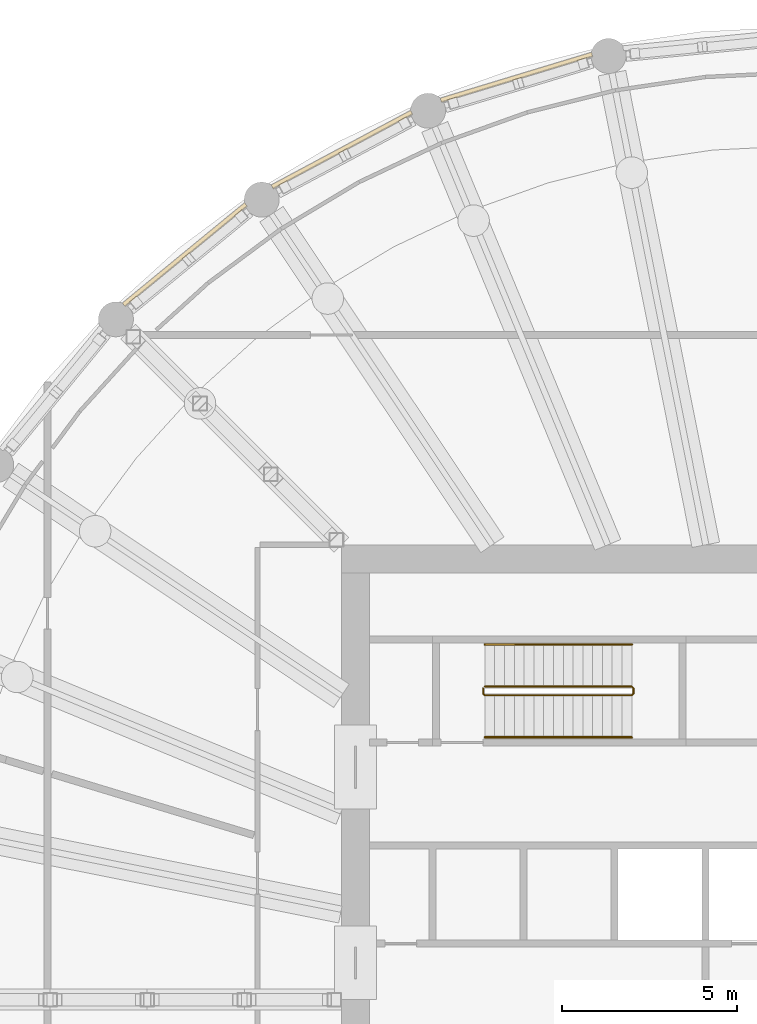
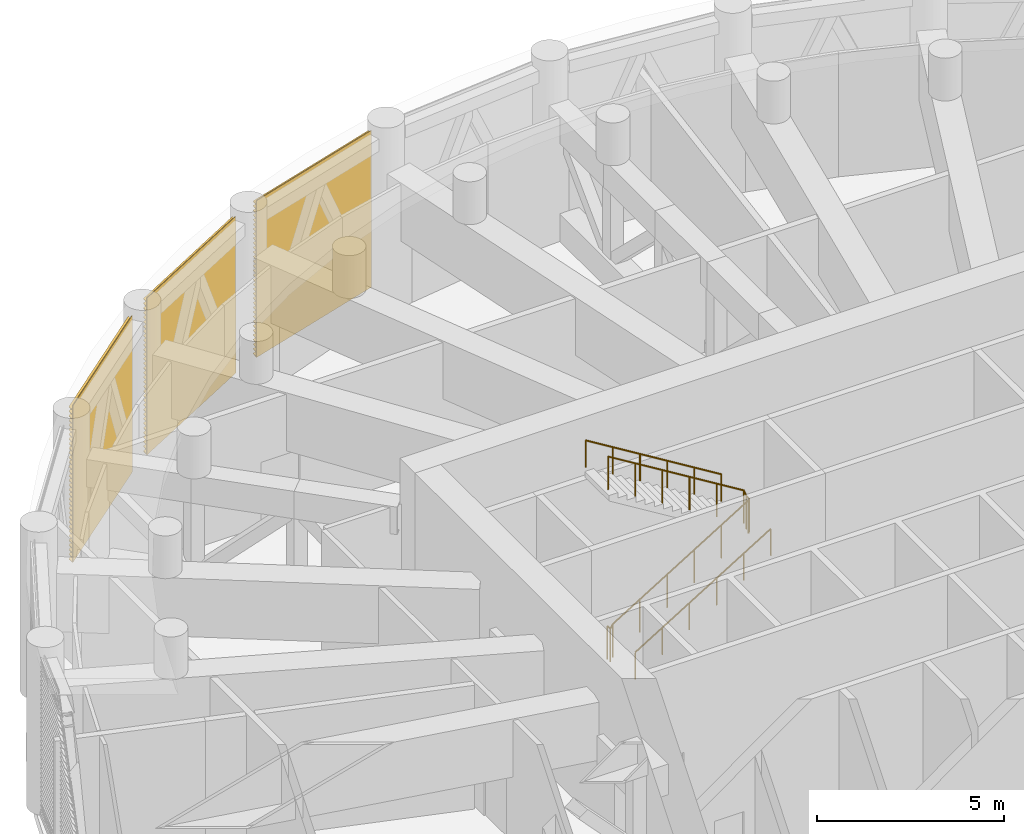
# One storey, part 22 of 24: 3 railings, 3 shading devices, 3 elements without a shape of their own.
"""IFC4 building model written with IfcOpenShell, lengths in metres."""

from ifc_helpers import new_model, si_unit, direction, frame, origin, origin_2d, place, context, subcontext, project, spatial, polyline, circle, outline, extrude, material, material_profile, profile_set, type_object, element, aggregate, save


model = new_model("IFC4")

# Units and contexts
model_context = context("Model", 3, precision=1e-05, world=origin(), true_north=direction((0.0, 1.0)))
body_context = subcontext(model_context, "Body", "Model", "MODEL_VIEW")
ifc_project = project(units=[si_unit("LENGTHUNIT", "METRE"), si_unit("AREAUNIT", "SQUARE_METRE"), si_unit("VOLUMEUNIT", "CUBIC_METRE"), si_unit("PLANEANGLEUNIT", "RADIAN"), si_unit("MASSUNIT", "GRAM", prefix="KILO")], contexts=[model_context])

# Site, building, storey
site_placement = place(None, origin())
site = spatial("IfcSite", under=ifc_project, at=site_placement, CompositionType="ELEMENT")
building_placement = place(site_placement, origin())
building = spatial("IfcBuilding", under=site, at=building_placement, Name="Corvane Civic Tower", CompositionType="ELEMENT")
storey_placement = place(building_placement, frame((0.0, 0.0, 257.5)))
storey = spatial("IfcBuildingStorey", under=building, at=storey_placement, Name="L61", CompositionType="ELEMENT", Elevation=257.5)

# Railings
ifc_material_1 = material(Name="Steel ASTM A572 Gr 50", Category="steel")
railing_type_1 = type_object("IfcRailingType", Name="ST-GUARD-1100", PredefinedType="GUARDRAIL", material=ifc_material_1)
railing_1_placement = place(storey_placement, frame((-8.949951171875, 8.89990234375, 0.0)))
element("IfcRailing", 1, at=railing_1_placement, inside=storey, type_object=railing_type_1, Name="L61 ST4 stair guard 1", PredefinedType="GUARDRAIL", context=body_context, shape_type="SweptSolid", body=[
    extrude(circle(Radius=0.02392578125, at=origin_2d()), frame((0.0, 0.0, 1.076171875), z_axis=(0.0, -1.0, 0.0), x_axis=(1.0, 0.0, 0.0)), (0.0, 0.0, 1.0), 0.14990234375),
    extrude(circle(Radius=0.02392578125, at=origin_2d()), frame((0.0, -0.14990234375, 1.076171875), z_axis=(0.269255725606, -0.269255725606, 0.92466356501), x_axis=(0.707106781187, 0.707106781187, 0.0)), (0.0, 0.0, 1.0), 0.185791015625),
    extrude(circle(Radius=0.02392578125, at=origin_2d()), frame((0.050048828125, -0.199951171875, 1.248046875), z_axis=(0.852242915053, 0.0, 0.523146264196), x_axis=(0.0, 1.0, 0.0)), (0.0, 0.0, 1.0), 4.92822265625),
    extrude(circle(Radius=0.02392578125, at=origin_2d()), frame((4.25, -0.199951171875, 3.826171875), z_axis=(0.707106781187, 0.707106781187, 0.0), x_axis=(-0.707106781187, 0.707106781187, 0.0)), (0.0, 0.0, 1.0), 0.07080078125),
    extrude(circle(Radius=0.02392578125, at=origin_2d()), frame((4.300048828125, -0.14990234375, 3.826171875), z_axis=(0.0, 1.0, 0.0), x_axis=(-1.0, 0.0, 0.0)), (0.0, 0.0, 1.0), 0.14990234375),
    extrude(circle(Radius=0.02392578125, at=origin_2d()), frame((4.300048828125, 0.0, 3.826171875), z_axis=(-0.269255725606, 0.269255725606, 0.92466356501), x_axis=(-0.707106781187, -0.707106781187, 0.0)), (0.0, 0.0, 1.0), 0.185791015625),
    extrude(circle(Radius=0.02392578125, at=origin_2d()), frame((4.25, 0.050048828125, 3.998046875), z_axis=(-0.852242915053, 0.0, 0.523146264196), x_axis=(0.0, -1.0, 0.0)), (0.0, 0.0, 1.0), 4.92822265625),
    extrude(circle(Radius=0.02099609375, at=origin_2d()), origin(), (0.0, 0.0, 1.0), 1.052001953125),
    extrude(circle(Radius=0.02099609375, at=origin_2d()), frame((0.0, -0.14990234375, 0.0)), (0.0, 0.0, 1.0), 1.052001953125),
    extrude(circle(Radius=0.02099609375, at=origin_2d()), frame((0.050048828125, -0.199951171875, 0.171875)), (0.0, 0.0, 1.0), 1.052001953125),
    extrude(circle(Radius=0.02099609375, at=origin_2d()), frame((0.89013671875, -0.199951171875, 0.6875)), (0.0, 0.0, 1.0), 1.052001953125),
    extrude(circle(Radius=0.02099609375, at=origin_2d()), frame((1.72998046875, -0.199951171875, 1.203125)), (0.0, 0.0, 1.0), 1.052001953125),
    extrude(circle(Radius=0.02099609375, at=origin_2d()), frame((2.570068359375, -0.199951171875, 1.71875)), (0.0, 0.0, 1.0), 1.052001953125),
    extrude(circle(Radius=0.02099609375, at=origin_2d()), frame((3.409912109375, -0.199951171875, 2.234375)), (0.0, 0.0, 1.0), 1.052001953125),
    extrude(circle(Radius=0.02099609375, at=origin_2d()), frame((4.25, -0.199951171875, 2.75)), (0.0, 0.0, 1.0), 1.052001953125),
    extrude(circle(Radius=0.02099609375, at=origin_2d()), frame((4.300048828125, -0.14990234375, 2.75)), (0.0, 0.0, 1.0), 1.052001953125),
    extrude(circle(Radius=0.02099609375, at=origin_2d()), frame((4.300048828125, 0.0, 2.75)), (0.0, 0.0, 1.0), 1.052001953125),
    extrude(circle(Radius=0.02099609375, at=origin_2d()), frame((4.25, 0.050048828125, 2.921875)), (0.0, 0.0, 1.0), 1.052001953125),
    extrude(circle(Radius=0.02099609375, at=origin_2d()), frame((3.409912109375, 0.050048828125, 3.4375)), (0.0, 0.0, 1.0), 1.052001953125),
    extrude(circle(Radius=0.02099609375, at=origin_2d()), frame((2.570068359375, 0.050048828125, 3.953125)), (0.0, 0.0, 1.0), 1.052001953125),
    extrude(circle(Radius=0.02099609375, at=origin_2d()), frame((1.72998046875, 0.050048828125, 4.46875)), (0.0, 0.0, 1.0), 1.052001953125),
    extrude(circle(Radius=0.02099609375, at=origin_2d()), frame((0.89013671875, 0.050048828125, 4.984375)), (0.0, 0.0, 1.0), 1.052001953125),
    extrude(circle(Radius=0.02099609375, at=origin_2d()), frame((0.050048828125, 0.050048828125, 5.5)), (0.0, 0.0, 1.0), 1.052001953125),
])
ifc_material_2 = material(Name="Steel ASTM A572 Gr 50", Category="steel")
railing_type_2 = type_object("IfcRailingType", Name="ST-HANDRAIL-900", PredefinedType="HANDRAIL", material=ifc_material_2)
railing_2_placement = place(storey_placement, frame((-8.89990234375, 7.5, 0.171875)))
element("IfcRailing", 2, at=railing_2_placement, inside=storey, type_object=railing_type_2, Name="L61 ST4 stair handrail 1", PredefinedType="HANDRAIL", context=body_context, shape_type="SweptSolid", body=[
    extrude(circle(Radius=0.02392578125, at=origin_2d()), frame((0.0, 0.0, 0.8759765625), z_axis=(0.852242915053, 0.0, 0.523146264196), x_axis=(0.0, 1.0, 0.0)), (0.0, 0.0, 1.0), 4.92822265625),
    extrude(circle(Radius=0.02099609375, at=origin_2d()), origin(), (0.0, 0.0, 1.0), 0.851806640625),
    extrude(circle(Radius=0.02099609375, at=origin_2d()), frame((0.840087890625, 0.0, 0.515625)), (0.0, 0.0, 1.0), 0.851806640625),
    extrude(circle(Radius=0.02099609375, at=origin_2d()), frame((1.679931640625, 0.0, 1.03125)), (0.0, 0.0, 1.0), 0.851806640625),
    extrude(circle(Radius=0.02099609375, at=origin_2d()), frame((2.52001953125, 0.0, 1.546875)), (0.0, 0.0, 1.0), 0.851806640625),
    extrude(circle(Radius=0.02099609375, at=origin_2d()), frame((3.35986328125, 0.0, 2.0625)), (0.0, 0.0, 1.0), 0.851806640625),
    extrude(circle(Radius=0.02099609375, at=origin_2d()), frame((4.199951171875, 0.0, 2.578125)), (0.0, 0.0, 1.0), 0.851806640625),
])
railing_3_placement = place(storey_placement, frame((-4.699951171875, 10.14990234375, 2.921875)))
element("IfcRailing", 3, at=railing_3_placement, inside=storey, type_object=railing_type_2, Name="L61 ST4 stair handrail 2", PredefinedType="HANDRAIL", context=body_context, shape_type="SweptSolid", body=[
    extrude(circle(Radius=0.02392578125, at=origin_2d()), frame((0.0, 0.0, 0.8759765625), z_axis=(-0.852242915053, 0.0, 0.523146264196), x_axis=(0.0, -1.0, 0.0)), (0.0, 0.0, 1.0), 4.92822265625),
    extrude(circle(Radius=0.02099609375, at=origin_2d()), origin(), (0.0, 0.0, 1.0), 0.851806640625),
    extrude(circle(Radius=0.02099609375, at=origin_2d()), frame((-0.840087890625, 0.0, 0.515625)), (0.0, 0.0, 1.0), 0.851806640625),
    extrude(circle(Radius=0.02099609375, at=origin_2d()), frame((-1.679931640625, 0.0, 1.03125)), (0.0, 0.0, 1.0), 0.851806640625),
    extrude(circle(Radius=0.02099609375, at=origin_2d()), frame((-2.52001953125, 0.0, 1.546875)), (0.0, 0.0, 1.0), 0.851806640625),
    extrude(circle(Radius=0.02099609375, at=origin_2d()), frame((-3.35986328125, 0.0, 2.0625)), (0.0, 0.0, 1.0), 0.851806640625),
    extrude(circle(Radius=0.02099609375, at=origin_2d()), frame((-4.199951171875, 0.0, 2.578125)), (0.0, 0.0, 1.0), 0.851806640625),
])

# Curtain wall, shading device
ifc_material_3 = material(Name="Anodised aluminium bronze", Category="aluminium")
curtain_wall_type = type_object("IfcCurtainWallType", Name="TOWER CW-LV LOUVRE SCREEN WALL", PredefinedType="NOTDEFINED", material=ifc_material_3)
curtain_wall_1_placement = place(storey_placement, origin())
curtain_wall_1 = element("IfcCurtainWall", 4, at=curtain_wall_1_placement, inside=storey, type_object=curtain_wall_type, Name="Louvre screen wall CW-LV L61 bay 29", PredefinedType="NOTDEFINED")
ifc_material_4 = material(Name="Anodised aluminium bronze", Category="aluminium")
ifc_material_profile = material_profile(ifc_material_4, outline(polyline([(-0.06005859375, -2.56494140625), (-0.0400390625, -2.56494140625), (0.06005859375, -2.492919921875), (0.06005859375, -2.472900390625), (-0.0400390625, -2.544921875), (-0.0400390625, -2.4140625), (0.06005859375, -2.342041015625), (0.06005859375, -2.322021484375), (-0.0400390625, -2.39404296875), (-0.0400390625, -2.26318359375), (0.06005859375, -2.191162109375), (0.06005859375, -2.171142578125), (-0.0400390625, -2.2431640625), (-0.0400390625, -2.1123046875), (0.06005859375, -2.040283203125), (0.06005859375, -2.0205078125), (-0.0400390625, -2.09228515625), (-0.0400390625, -1.96142578125), (0.06005859375, -1.889404296875), (0.06005859375, -1.869384765625), (-0.0400390625, -1.94140625), (-0.0400390625, -1.810546875), (0.06005859375, -1.738525390625), (0.06005859375, -1.718505859375), (-0.0400390625, -1.79052734375), (-0.0400390625, -1.65966796875), (0.06005859375, -1.587646484375), (0.06005859375, -1.567626953125), (-0.0400390625, -1.6396484375), (-0.0400390625, -1.5087890625), (0.06005859375, -1.436767578125), (0.06005859375, -1.416748046875), (-0.0400390625, -1.48876953125), (-0.0400390625, -1.35791015625), (0.06005859375, -1.285888671875), (0.06005859375, -1.265869140625), (-0.0400390625, -1.337890625), (-0.0400390625, -1.20703125), (0.06005859375, -1.135009765625), (0.06005859375, -1.114990234375), (-0.0400390625, -1.18701171875), (-0.0400390625, -1.05615234375), (0.06005859375, -0.984130859375), (0.06005859375, -0.964111328125), (-0.0400390625, -1.0361328125), (-0.0400390625, -0.9052734375), (0.06005859375, -0.833251953125), (0.06005859375, -0.813232421875), (-0.0400390625, -0.88525390625), (-0.0400390625, -0.75439453125), (0.06005859375, -0.682373046875), (0.06005859375, -0.662353515625), (-0.0400390625, -0.734375), (-0.0400390625, -0.603515625), (0.06005859375, -0.531494140625), (0.06005859375, -0.511474609375), (-0.0400390625, -0.58349609375), (-0.0400390625, -0.45263671875), (0.06005859375, -0.380615234375), (0.06005859375, -0.360595703125), (-0.0400390625, -0.4326171875), (-0.0400390625, -0.3017578125), (0.06005859375, -0.229736328125), (0.06005859375, -0.209716796875), (-0.0400390625, -0.28173828125), (-0.0400390625, -0.15087890625), (0.06005859375, -0.078857421875), (0.06005859375, -0.058837890625), (-0.0400390625, -0.130859375), (-0.0400390625, 0.0), (0.06005859375, 0.072021484375), (0.06005859375, 0.092041015625), (-0.0400390625, 0.02001953125), (-0.0400390625, 0.15087890625), (0.06005859375, 0.222900390625), (0.06005859375, 0.242919921875), (-0.0400390625, 0.1708984375), (-0.0400390625, 0.3017578125), (0.06005859375, 0.373779296875), (0.06005859375, 0.393798828125), (-0.0400390625, 0.32177734375), (-0.0400390625, 0.45263671875), (0.06005859375, 0.524658203125), (0.06005859375, 0.544677734375), (-0.0400390625, 0.47265625), (-0.0400390625, 0.603515625), (0.06005859375, 0.675537109375), (0.06005859375, 0.695556640625), (-0.0400390625, 0.62353515625), (-0.0400390625, 0.75439453125), (0.06005859375, 0.826416015625), (0.06005859375, 0.846435546875), (-0.0400390625, 0.7744140625), (-0.0400390625, 0.9052734375), (0.06005859375, 0.977294921875), (0.06005859375, 0.997314453125), (-0.0400390625, 0.92529296875), (-0.0400390625, 1.05615234375), (0.06005859375, 1.128173828125), (0.06005859375, 1.148193359375), (-0.0400390625, 1.076171875), (-0.0400390625, 1.20703125), (0.06005859375, 1.279052734375), (0.06005859375, 1.299072265625), (-0.0400390625, 1.22705078125), (-0.0400390625, 1.35791015625), (0.06005859375, 1.429931640625), (0.06005859375, 1.449951171875), (-0.0400390625, 1.3779296875), (-0.0400390625, 1.5087890625), (0.06005859375, 1.580810546875), (0.06005859375, 1.600830078125), (-0.0400390625, 1.52880859375), (-0.0400390625, 1.65966796875), (0.06005859375, 1.731689453125), (0.06005859375, 1.751708984375), (-0.0400390625, 1.6796875), (-0.0400390625, 1.810546875), (0.06005859375, 1.882568359375), (0.06005859375, 1.902587890625), (-0.0400390625, 1.83056640625), (-0.0400390625, 1.96142578125), (0.06005859375, 2.033447265625), (0.06005859375, 2.053466796875), (-0.0400390625, 1.9814453125), (-0.0400390625, 2.1123046875), (0.06005859375, 2.184326171875), (0.06005859375, 2.204345703125), (-0.0400390625, 2.13232421875), (-0.0400390625, 2.26318359375), (0.06005859375, 2.335205078125), (0.06005859375, 2.355224609375), (-0.0400390625, 2.283203125), (-0.0400390625, 2.4140625), (0.06005859375, 2.486083984375), (0.06005859375, 2.506103515625), (-0.0400390625, 2.43408203125), (-0.0400390625, 2.56494140625), (-0.06005859375, 2.56494140625), (-0.06005859375, -2.56494140625)])), Name="TOWER LOUVRE BANK 5130 BRONZE")
ifc_profile_set = profile_set([ifc_material_profile], Name="Anodised aluminium bronze")
shading_device_type = type_object("IfcShadingDeviceType", Name="TOWER LOUVRE BANK 5130 BRONZE", PredefinedType="USERDEFINED", material=ifc_profile_set)
shading_device_1_placement = place(storey_placement, frame((-19.221435546875, 19.861083984375, 2.68505859375), z_axis=(0.773014925698, 0.634387834569, 0.0), x_axis=(-0.634387834569, 0.773014925698, 0.0)))
shading_device_1 = element("IfcShadingDevice", 5, at=shading_device_1_placement, type_object=shading_device_type, Name="Louvre bank L61 29.1", ObjectType="LOUVRE", PredefinedType="USERDEFINED", context=body_context, shape_type="SweptSolid", body=[
    extrude(outline(polyline([(-0.06005859375, -2.56494140625), (-0.0400390625, -2.56494140625), (0.06005859375, -2.492919921875), (0.06005859375, -2.472900390625), (-0.0400390625, -2.544921875), (-0.0400390625, -2.4140625), (0.06005859375, -2.342041015625), (0.06005859375, -2.322021484375), (-0.0400390625, -2.39404296875), (-0.0400390625, -2.26318359375), (0.06005859375, -2.191162109375), (0.06005859375, -2.171142578125), (-0.0400390625, -2.2431640625), (-0.0400390625, -2.1123046875), (0.06005859375, -2.040283203125), (0.06005859375, -2.0205078125), (-0.0400390625, -2.09228515625), (-0.0400390625, -1.96142578125), (0.06005859375, -1.889404296875), (0.06005859375, -1.869384765625), (-0.0400390625, -1.94140625), (-0.0400390625, -1.810546875), (0.06005859375, -1.738525390625), (0.06005859375, -1.718505859375), (-0.0400390625, -1.79052734375), (-0.0400390625, -1.65966796875), (0.06005859375, -1.587646484375), (0.06005859375, -1.567626953125), (-0.0400390625, -1.6396484375), (-0.0400390625, -1.5087890625), (0.06005859375, -1.436767578125), (0.06005859375, -1.416748046875), (-0.0400390625, -1.48876953125), (-0.0400390625, -1.35791015625), (0.06005859375, -1.285888671875), (0.06005859375, -1.265869140625), (-0.0400390625, -1.337890625), (-0.0400390625, -1.20703125), (0.06005859375, -1.135009765625), (0.06005859375, -1.114990234375), (-0.0400390625, -1.18701171875), (-0.0400390625, -1.05615234375), (0.06005859375, -0.984130859375), (0.06005859375, -0.964111328125), (-0.0400390625, -1.0361328125), (-0.0400390625, -0.9052734375), (0.06005859375, -0.833251953125), (0.06005859375, -0.813232421875), (-0.0400390625, -0.88525390625), (-0.0400390625, -0.75439453125), (0.06005859375, -0.682373046875), (0.06005859375, -0.662353515625), (-0.0400390625, -0.734375), (-0.0400390625, -0.603515625), (0.06005859375, -0.531494140625), (0.06005859375, -0.511474609375), (-0.0400390625, -0.58349609375), (-0.0400390625, -0.45263671875), (0.06005859375, -0.380615234375), (0.06005859375, -0.360595703125), (-0.0400390625, -0.4326171875), (-0.0400390625, -0.3017578125), (0.06005859375, -0.229736328125), (0.06005859375, -0.209716796875), (-0.0400390625, -0.28173828125), (-0.0400390625, -0.15087890625), (0.06005859375, -0.078857421875), (0.06005859375, -0.058837890625), (-0.0400390625, -0.130859375), (-0.0400390625, 0.0), (0.06005859375, 0.072021484375), (0.06005859375, 0.092041015625), (-0.0400390625, 0.02001953125), (-0.0400390625, 0.15087890625), (0.06005859375, 0.222900390625), (0.06005859375, 0.242919921875), (-0.0400390625, 0.1708984375), (-0.0400390625, 0.3017578125), (0.06005859375, 0.373779296875), (0.06005859375, 0.393798828125), (-0.0400390625, 0.32177734375), (-0.0400390625, 0.45263671875), (0.06005859375, 0.524658203125), (0.06005859375, 0.544677734375), (-0.0400390625, 0.47265625), (-0.0400390625, 0.603515625), (0.06005859375, 0.675537109375), (0.06005859375, 0.695556640625), (-0.0400390625, 0.62353515625), (-0.0400390625, 0.75439453125), (0.06005859375, 0.826416015625), (0.06005859375, 0.846435546875), (-0.0400390625, 0.7744140625), (-0.0400390625, 0.9052734375), (0.06005859375, 0.977294921875), (0.06005859375, 0.997314453125), (-0.0400390625, 0.92529296875), (-0.0400390625, 1.05615234375), (0.06005859375, 1.128173828125), (0.06005859375, 1.148193359375), (-0.0400390625, 1.076171875), (-0.0400390625, 1.20703125), (0.06005859375, 1.279052734375), (0.06005859375, 1.299072265625), (-0.0400390625, 1.22705078125), (-0.0400390625, 1.35791015625), (0.06005859375, 1.429931640625), (0.06005859375, 1.449951171875), (-0.0400390625, 1.3779296875), (-0.0400390625, 1.5087890625), (0.06005859375, 1.580810546875), (0.06005859375, 1.600830078125), (-0.0400390625, 1.52880859375), (-0.0400390625, 1.65966796875), (0.06005859375, 1.731689453125), (0.06005859375, 1.751708984375), (-0.0400390625, 1.6796875), (-0.0400390625, 1.810546875), (0.06005859375, 1.882568359375), (0.06005859375, 1.902587890625), (-0.0400390625, 1.83056640625), (-0.0400390625, 1.96142578125), (0.06005859375, 2.033447265625), (0.06005859375, 2.053466796875), (-0.0400390625, 1.9814453125), (-0.0400390625, 2.1123046875), (0.06005859375, 2.184326171875), (0.06005859375, 2.204345703125), (-0.0400390625, 2.13232421875), (-0.0400390625, 2.26318359375), (0.06005859375, 2.335205078125), (0.06005859375, 2.355224609375), (-0.0400390625, 2.283203125), (-0.0400390625, 2.4140625), (0.06005859375, 2.486083984375), (0.06005859375, 2.506103515625), (-0.0400390625, 2.43408203125), (-0.0400390625, 2.56494140625), (-0.06005859375, 2.56494140625), (-0.06005859375, -2.56494140625)])), origin(), (0.0, 0.0, 1.0), 4.517333984375),
])
aggregate(curtain_wall_1, [shading_device_1])

curtain_wall_2_placement = place(storey_placement, origin())
curtain_wall_2 = element("IfcCurtainWall", 6, at=curtain_wall_2_placement, inside=storey, type_object=curtain_wall_type, Name="Louvre screen wall CW-LV L61 bay 30", PredefinedType="NOTDEFINED")
shading_device_2_placement = place(storey_placement, frame((-14.977294921875, 23.2294921875, 2.68505859375), z_axis=(0.881924695689, 0.471390317183, 0.0), x_axis=(-0.471390317183, 0.881924695689, 0.0)))
shading_device_2 = element("IfcShadingDevice", 7, at=shading_device_2_placement, type_object=shading_device_type, Name="Louvre bank L61 30.1", ObjectType="LOUVRE", PredefinedType="USERDEFINED", context=body_context, shape_type="SweptSolid", body=[
    extrude(outline(polyline([(-0.06005859375, -2.56494140625), (-0.0400390625, -2.56494140625), (0.06005859375, -2.492919921875), (0.06005859375, -2.472900390625), (-0.0400390625, -2.544921875), (-0.0400390625, -2.4140625), (0.06005859375, -2.342041015625), (0.06005859375, -2.322021484375), (-0.0400390625, -2.39404296875), (-0.0400390625, -2.26318359375), (0.06005859375, -2.191162109375), (0.06005859375, -2.171142578125), (-0.0400390625, -2.2431640625), (-0.0400390625, -2.1123046875), (0.06005859375, -2.040283203125), (0.06005859375, -2.0205078125), (-0.0400390625, -2.09228515625), (-0.0400390625, -1.96142578125), (0.06005859375, -1.889404296875), (0.06005859375, -1.869384765625), (-0.0400390625, -1.94140625), (-0.0400390625, -1.810546875), (0.06005859375, -1.738525390625), (0.06005859375, -1.718505859375), (-0.0400390625, -1.79052734375), (-0.0400390625, -1.65966796875), (0.06005859375, -1.587646484375), (0.06005859375, -1.567626953125), (-0.0400390625, -1.6396484375), (-0.0400390625, -1.5087890625), (0.06005859375, -1.436767578125), (0.06005859375, -1.416748046875), (-0.0400390625, -1.48876953125), (-0.0400390625, -1.35791015625), (0.06005859375, -1.285888671875), (0.06005859375, -1.265869140625), (-0.0400390625, -1.337890625), (-0.0400390625, -1.20703125), (0.06005859375, -1.135009765625), (0.06005859375, -1.114990234375), (-0.0400390625, -1.18701171875), (-0.0400390625, -1.05615234375), (0.06005859375, -0.984130859375), (0.06005859375, -0.964111328125), (-0.0400390625, -1.0361328125), (-0.0400390625, -0.9052734375), (0.06005859375, -0.833251953125), (0.06005859375, -0.813232421875), (-0.0400390625, -0.88525390625), (-0.0400390625, -0.75439453125), (0.06005859375, -0.682373046875), (0.06005859375, -0.662353515625), (-0.0400390625, -0.734375), (-0.0400390625, -0.603515625), (0.06005859375, -0.531494140625), (0.06005859375, -0.511474609375), (-0.0400390625, -0.58349609375), (-0.0400390625, -0.45263671875), (0.06005859375, -0.380615234375), (0.06005859375, -0.360595703125), (-0.0400390625, -0.4326171875), (-0.0400390625, -0.3017578125), (0.06005859375, -0.229736328125), (0.06005859375, -0.209716796875), (-0.0400390625, -0.28173828125), (-0.0400390625, -0.15087890625), (0.06005859375, -0.078857421875), (0.06005859375, -0.058837890625), (-0.0400390625, -0.130859375), (-0.0400390625, 0.0), (0.06005859375, 0.072021484375), (0.06005859375, 0.092041015625), (-0.0400390625, 0.02001953125), (-0.0400390625, 0.15087890625), (0.06005859375, 0.222900390625), (0.06005859375, 0.242919921875), (-0.0400390625, 0.1708984375), (-0.0400390625, 0.3017578125), (0.06005859375, 0.373779296875), (0.06005859375, 0.393798828125), (-0.0400390625, 0.32177734375), (-0.0400390625, 0.45263671875), (0.06005859375, 0.524658203125), (0.06005859375, 0.544677734375), (-0.0400390625, 0.47265625), (-0.0400390625, 0.603515625), (0.06005859375, 0.675537109375), (0.06005859375, 0.695556640625), (-0.0400390625, 0.62353515625), (-0.0400390625, 0.75439453125), (0.06005859375, 0.826416015625), (0.06005859375, 0.846435546875), (-0.0400390625, 0.7744140625), (-0.0400390625, 0.9052734375), (0.06005859375, 0.977294921875), (0.06005859375, 0.997314453125), (-0.0400390625, 0.92529296875), (-0.0400390625, 1.05615234375), (0.06005859375, 1.128173828125), (0.06005859375, 1.148193359375), (-0.0400390625, 1.076171875), (-0.0400390625, 1.20703125), (0.06005859375, 1.279052734375), (0.06005859375, 1.299072265625), (-0.0400390625, 1.22705078125), (-0.0400390625, 1.35791015625), (0.06005859375, 1.429931640625), (0.06005859375, 1.449951171875), (-0.0400390625, 1.3779296875), (-0.0400390625, 1.5087890625), (0.06005859375, 1.580810546875), (0.06005859375, 1.600830078125), (-0.0400390625, 1.52880859375), (-0.0400390625, 1.65966796875), (0.06005859375, 1.731689453125), (0.06005859375, 1.751708984375), (-0.0400390625, 1.6796875), (-0.0400390625, 1.810546875), (0.06005859375, 1.882568359375), (0.06005859375, 1.902587890625), (-0.0400390625, 1.83056640625), (-0.0400390625, 1.96142578125), (0.06005859375, 2.033447265625), (0.06005859375, 2.053466796875), (-0.0400390625, 1.9814453125), (-0.0400390625, 2.1123046875), (0.06005859375, 2.184326171875), (0.06005859375, 2.204345703125), (-0.0400390625, 2.13232421875), (-0.0400390625, 2.26318359375), (0.06005859375, 2.335205078125), (0.06005859375, 2.355224609375), (-0.0400390625, 2.283203125), (-0.0400390625, 2.4140625), (0.06005859375, 2.486083984375), (0.06005859375, 2.506103515625), (-0.0400390625, 2.43408203125), (-0.0400390625, 2.56494140625), (-0.06005859375, 2.56494140625), (-0.06005859375, -2.56494140625)])), origin(), (0.0, 0.0, 1.0), 4.517333984375),
])
aggregate(curtain_wall_2, [shading_device_2])

curtain_wall_3_placement = place(storey_placement, origin())
curtain_wall_3 = element("IfcCurtainWall", 8, at=curtain_wall_3_placement, inside=storey, type_object=curtain_wall_type, Name="Louvre screen wall CW-LV L61 bay 31", PredefinedType="NOTDEFINED")
shading_device_3_placement = place(storey_placement, frame((-10.15771484375, 25.705078125, 2.68505859375), z_axis=(0.956941182173, 0.2902818869, 0.0), x_axis=(-0.2902818869, 0.956941182173, 0.0)))
shading_device_3 = element("IfcShadingDevice", 9, at=shading_device_3_placement, type_object=shading_device_type, Name="Louvre bank L61 31.1", ObjectType="LOUVRE", PredefinedType="USERDEFINED", context=body_context, shape_type="SweptSolid", body=[
    extrude(outline(polyline([(-0.06005859375, -2.56494140625), (-0.0400390625, -2.56494140625), (0.06005859375, -2.492919921875), (0.06005859375, -2.472900390625), (-0.0400390625, -2.544921875), (-0.0400390625, -2.4140625), (0.06005859375, -2.342041015625), (0.06005859375, -2.322021484375), (-0.0400390625, -2.39404296875), (-0.0400390625, -2.26318359375), (0.06005859375, -2.191162109375), (0.06005859375, -2.171142578125), (-0.0400390625, -2.2431640625), (-0.0400390625, -2.1123046875), (0.06005859375, -2.040283203125), (0.06005859375, -2.0205078125), (-0.0400390625, -2.09228515625), (-0.0400390625, -1.96142578125), (0.06005859375, -1.889404296875), (0.06005859375, -1.869384765625), (-0.0400390625, -1.94140625), (-0.0400390625, -1.810546875), (0.06005859375, -1.738525390625), (0.06005859375, -1.718505859375), (-0.0400390625, -1.79052734375), (-0.0400390625, -1.65966796875), (0.06005859375, -1.587646484375), (0.06005859375, -1.567626953125), (-0.0400390625, -1.6396484375), (-0.0400390625, -1.5087890625), (0.06005859375, -1.436767578125), (0.06005859375, -1.416748046875), (-0.0400390625, -1.48876953125), (-0.0400390625, -1.35791015625), (0.06005859375, -1.285888671875), (0.06005859375, -1.265869140625), (-0.0400390625, -1.337890625), (-0.0400390625, -1.20703125), (0.06005859375, -1.135009765625), (0.06005859375, -1.114990234375), (-0.0400390625, -1.18701171875), (-0.0400390625, -1.05615234375), (0.06005859375, -0.984130859375), (0.06005859375, -0.964111328125), (-0.0400390625, -1.0361328125), (-0.0400390625, -0.9052734375), (0.06005859375, -0.833251953125), (0.06005859375, -0.813232421875), (-0.0400390625, -0.88525390625), (-0.0400390625, -0.75439453125), (0.06005859375, -0.682373046875), (0.06005859375, -0.662353515625), (-0.0400390625, -0.734375), (-0.0400390625, -0.603515625), (0.06005859375, -0.531494140625), (0.06005859375, -0.511474609375), (-0.0400390625, -0.58349609375), (-0.0400390625, -0.45263671875), (0.06005859375, -0.380615234375), (0.06005859375, -0.360595703125), (-0.0400390625, -0.4326171875), (-0.0400390625, -0.3017578125), (0.06005859375, -0.229736328125), (0.06005859375, -0.209716796875), (-0.0400390625, -0.28173828125), (-0.0400390625, -0.15087890625), (0.06005859375, -0.078857421875), (0.06005859375, -0.058837890625), (-0.0400390625, -0.130859375), (-0.0400390625, 0.0), (0.06005859375, 0.072021484375), (0.06005859375, 0.092041015625), (-0.0400390625, 0.02001953125), (-0.0400390625, 0.15087890625), (0.06005859375, 0.222900390625), (0.06005859375, 0.242919921875), (-0.0400390625, 0.1708984375), (-0.0400390625, 0.3017578125), (0.06005859375, 0.373779296875), (0.06005859375, 0.393798828125), (-0.0400390625, 0.32177734375), (-0.0400390625, 0.45263671875), (0.06005859375, 0.524658203125), (0.06005859375, 0.544677734375), (-0.0400390625, 0.47265625), (-0.0400390625, 0.603515625), (0.06005859375, 0.675537109375), (0.06005859375, 0.695556640625), (-0.0400390625, 0.62353515625), (-0.0400390625, 0.75439453125), (0.06005859375, 0.826416015625), (0.06005859375, 0.846435546875), (-0.0400390625, 0.7744140625), (-0.0400390625, 0.9052734375), (0.06005859375, 0.977294921875), (0.06005859375, 0.997314453125), (-0.0400390625, 0.92529296875), (-0.0400390625, 1.05615234375), (0.06005859375, 1.128173828125), (0.06005859375, 1.148193359375), (-0.0400390625, 1.076171875), (-0.0400390625, 1.20703125), (0.06005859375, 1.279052734375), (0.06005859375, 1.299072265625), (-0.0400390625, 1.22705078125), (-0.0400390625, 1.35791015625), (0.06005859375, 1.429931640625), (0.06005859375, 1.449951171875), (-0.0400390625, 1.3779296875), (-0.0400390625, 1.5087890625), (0.06005859375, 1.580810546875), (0.06005859375, 1.600830078125), (-0.0400390625, 1.52880859375), (-0.0400390625, 1.65966796875), (0.06005859375, 1.731689453125), (0.06005859375, 1.751708984375), (-0.0400390625, 1.6796875), (-0.0400390625, 1.810546875), (0.06005859375, 1.882568359375), (0.06005859375, 1.902587890625), (-0.0400390625, 1.83056640625), (-0.0400390625, 1.96142578125), (0.06005859375, 2.033447265625), (0.06005859375, 2.053466796875), (-0.0400390625, 1.9814453125), (-0.0400390625, 2.1123046875), (0.06005859375, 2.184326171875), (0.06005859375, 2.204345703125), (-0.0400390625, 2.13232421875), (-0.0400390625, 2.26318359375), (0.06005859375, 2.335205078125), (0.06005859375, 2.355224609375), (-0.0400390625, 2.283203125), (-0.0400390625, 2.4140625), (0.06005859375, 2.486083984375), (0.06005859375, 2.506103515625), (-0.0400390625, 2.43408203125), (-0.0400390625, 2.56494140625), (-0.06005859375, 2.56494140625), (-0.06005859375, -2.56494140625)])), origin(), (0.0, 0.0, 1.0), 4.517333984375),
])
aggregate(curtain_wall_3, [shading_device_3])

save(model, "model.ifc")
